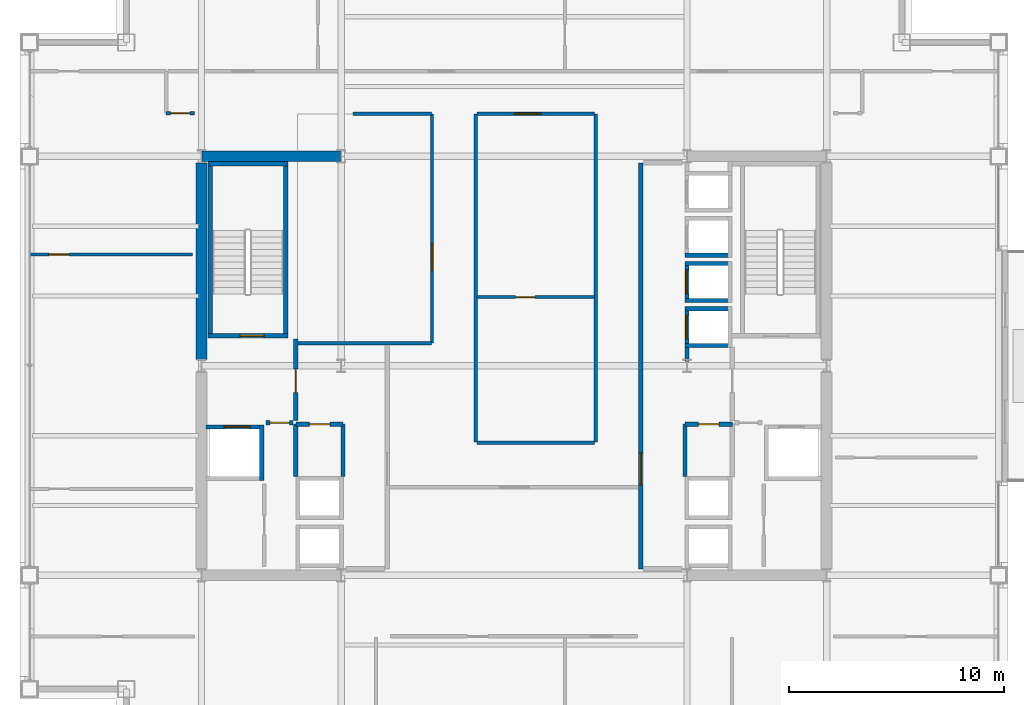
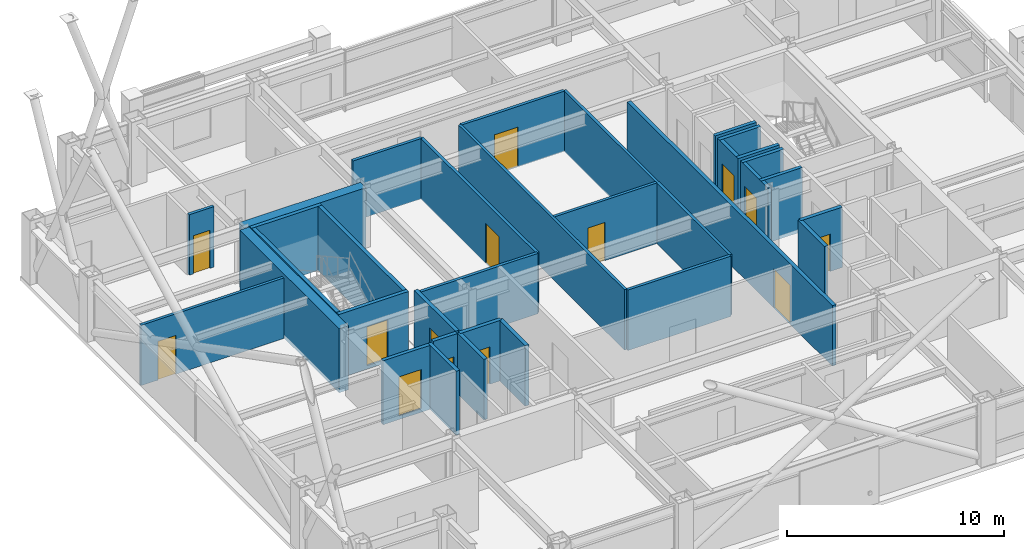
# One storey, part 28 of 33: 33 walls, 14 doors, 14 openings.
"""IFC4 building model written with IfcOpenShell, lengths in metres."""

from ifc_helpers import new_model, si_unit, direction, frame, frame_2d, origin, place, context, subcontext, project, spatial, rectangle, extrude, material, layer, layer_set, type_object, element, fill, save


model = new_model("IFC4")

# Units and contexts
model_context = context("Model", 3, precision=1e-05, world=origin(), true_north=direction((0.0, 1.0)))
body_context = subcontext(model_context, "Body", "Model", "MODEL_VIEW")
ifc_project = project(units=[si_unit("LENGTHUNIT", "METRE"), si_unit("AREAUNIT", "SQUARE_METRE"), si_unit("VOLUMEUNIT", "CUBIC_METRE"), si_unit("PLANEANGLEUNIT", "RADIAN"), si_unit("MASSUNIT", "GRAM", prefix="KILO")], contexts=[model_context])

# Site, building, storey
site_placement = place(None, origin())
site = spatial("IfcSite", under=ifc_project, at=site_placement, CompositionType="ELEMENT")
building_placement = place(site_placement, origin())
building = spatial("IfcBuilding", under=site, at=building_placement, Name="Brelmoor Portico Tower", CompositionType="ELEMENT")
storey_placement = place(building_placement, frame((0.0, 0.0, 120.60009765625)))
storey = spatial("IfcBuildingStorey", under=building, at=storey_placement, Name="L31", CompositionType="ELEMENT", Elevation=120.60009765625)

# Walls
ifc_material_1 = material(Name="Concrete C60", Category="concrete")
ifc_layer_1 = layer(ifc_material_1, 0.5)
ifc_layer_set_1 = layer_set([ifc_layer_1], Name="Concrete C60")
wall_type_1 = type_object("IfcWallType", Name="WL-CORE-500", PredefinedType="SHEAR", material=ifc_layer_set_1)
wall_1_placement = place(storey_placement, frame((-14.530029296875, 9.75, -0.2001953125), z_axis=(0.0, 0.0, 1.0), x_axis=(1.0, 0.0, 0.0)))
element("IfcWall", 1, at=wall_1_placement, inside=storey, type_object=wall_type_1, Name="L31 WC North Shear Wall", PredefinedType="SHEAR", context=body_context, shape_type="SweptSolid", body=[
    extrude(rectangle(XDim=6.4599609375, YDim=0.5, at=frame_2d((3.22998046875, 0.0))), origin(), (0.0, 0.0, 1.0), 3.60009765625),
])
wall_2_placement = place(storey_placement, frame((-14.550048828125, 0.300048828125, -0.2001953125), z_axis=(0.0, 0.0, 1.0), x_axis=(0.0, 1.0, 0.0)))
element("IfcWall", 2, at=wall_2_placement, inside=storey, type_object=wall_type_1, Name="L31 WC Outer North Shear Wall", PredefinedType="SHEAR", context=body_context, shape_type="SweptSolid", body=[
    extrude(rectangle(XDim=9.14990234375, YDim=0.5, at=frame_2d((4.574951171875, 0.0))), origin(), (0.0, 0.0, 1.0), 3.60009765625),
])
ifc_material_2 = material(Name="Wet-Area Moisture-Resistant Partition", Category="gypsum")
ifc_layer_2 = layer(ifc_material_2, 0.14990234375)
ifc_layer_set_2 = layer_set([ifc_layer_2], Name="Wet-Area Moisture-Resistant Partition")
wall_type_2 = type_object("IfcWallType", Name="WL-PART-150", PredefinedType="PARTITIONING", material=ifc_layer_set_2)
for number, where, z_axis, x_axis, name in (
    (3, (-1.780029296875, -3.550048828125, 0.0), (0.0, 0.0, 1.0), (0.0, 1.0, 0.0), "L31 Central Studio West Wall"),
    (4, (3.800048828125, -3.550048828125, 0.0), (0.0, 0.0, 1.0), (0.0, 1.0, 0.0), "L31 Central Studio East Wall"),
):
    element("IfcWall", number, at=place(storey_placement, frame(where, z_axis=z_axis, x_axis=x_axis)), inside=storey, type_object=wall_type_2, Name=name, PredefinedType="PARTITIONING", context=body_context, shape_type="SweptSolid", body=[
        extrude(rectangle(XDim=15.280029296875, YDim=0.14990234375, at=frame_2d((7.64013671875, 0.0))), origin(), (0.0, 0.0, 1.0), 3.39990234375),
    ])

# Wall, opening, door
wall_3_placement = place(storey_placement, frame((-1.72998046875, 3.199951171875, 0.0), z_axis=(0.0, 0.0, 1.0), x_axis=(1.0, 0.0, 0.0)))
wall_3 = element("IfcWall", 5, at=wall_3_placement, inside=storey, type_object=wall_type_2, Name="L31 Central Pantry Divider", PredefinedType="PARTITIONING", context=body_context, shape_type="SweptSolid", body=[
    extrude(rectangle(XDim=5.47998046875, YDim=0.14990234375, at=frame_2d((2.739990234375, 0.0))), origin(), (0.0, 0.0, 1.0), 3.39990234375),
])
opening_1_placement = place(wall_3_placement, frame((1.800048828125, 0.0, 0.0)))
opening_1 = element("IfcOpeningElement", 6, at=opening_1_placement, cuts=wall_3, Name="Opening D-IN1", PredefinedType="OPENING", context=body_context, shape_type="SweptSolid", body=[
    extrude(rectangle(XDim=0.89990234375, YDim=2.14990234375, at=frame_2d((0.449951171875, 1.074951171875))), frame((0.0, 0.0849609375, 0.0), z_axis=(0.0, -1.0, 0.0), x_axis=(1.0, 0.0, 0.0)), (0.0, 0.0, 1.0), 0.169921875),
])
ifc_material_3 = material(Name="Lacquered Timber Suite Door", Category="wood")
door_type_1 = type_object("IfcDoorType", Name="DR-INT-900", OperationType="NOTDEFINED", PredefinedType="DOOR", material=ifc_material_3)
door_1_placement = place(opening_1_placement, origin())
door_1 = element("IfcDoor", 7, at=door_1_placement, inside=storey, type_object=door_type_1, Name="D-1354 L31 Central Pantry Connecting Door", OperationType="SINGLE_SWING_RIGHT", OverallHeight=2.14990234375, OverallWidth=0.89990234375, PredefinedType="DOOR", context=body_context, shape_type="SweptSolid", body=[
    extrude(rectangle(XDim=0.89990234375, YDim=2.14990234375, at=frame_2d((0.449951171875, 1.074951171875))), frame((0.0, 0.02490234375, 0.0), z_axis=(0.0, -1.0, 0.0), x_axis=(1.0, 0.0, 0.0)), (0.0, 0.0, 1.0), 0.050048828125),
])
fill(opening_1, door_1)

wall_4_placement = place(storey_placement, frame((-22.56005859375, 5.1826171875, 0.0), z_axis=(0.0, 0.0, 1.0), x_axis=(1.0, 0.0, 0.0)))
wall_4 = element("IfcWall", 8, at=wall_4_placement, inside=storey, type_object=wall_type_2, Name="L31 W Wing Partition 2", PredefinedType="PARTITIONING", context=body_context, shape_type="SweptSolid", body=[
    extrude(rectangle(XDim=7.60009765625, YDim=0.14990234375, at=frame_2d((3.800048828125, 0.0))), origin(), (0.0, 0.0, 1.0), 3.39990234375),
])
opening_2_placement = place(wall_4_placement, frame((0.89990234375, 0.0, 0.0)))
opening_2 = element("IfcOpeningElement", 9, at=opening_2_placement, cuts=wall_4, Name="Opening D-IN2", PredefinedType="OPENING", context=body_context, shape_type="SweptSolid", body=[
    extrude(rectangle(XDim=0.9599609375, YDim=2.179931640625, at=frame_2d((0.47998046875, 1.08984375))), frame((0.0, 0.0849609375, 0.0), z_axis=(0.0, -1.0, 0.0), x_axis=(1.0, 0.0, 0.0)), (0.0, 0.0, 1.0), 0.169921875),
])
door_type_2 = type_object("IfcDoorType", Name="DR-INT-950", OperationType="NOTDEFINED", PredefinedType="DOOR", material=ifc_material_3)
door_2_placement = place(opening_2_placement, origin())
door_2 = element("IfcDoor", 10, at=door_2_placement, inside=storey, type_object=door_type_2, Name="D-1389 L31 W Wing Suite Connecting Door 2", OperationType="SINGLE_SWING_LEFT", OverallHeight=2.179931640625, OverallWidth=0.9599609375, PredefinedType="DOOR", context=body_context, shape_type="SweptSolid", body=[
    extrude(rectangle(XDim=0.9599609375, YDim=2.179931640625, at=frame_2d((0.47998046875, 1.08984375))), frame((0.0, 0.02490234375, 0.0), z_axis=(0.0, -1.0, 0.0), x_axis=(1.0, 0.0, 0.0)), (0.0, 0.0, 1.0), 0.050048828125),
])
fill(opening_2, door_2)

# Wall
ifc_material_4 = material(Name="Twin-Frame Acoustic Partition", Category="gypsum")
ifc_layer_3 = layer(ifc_material_4, 0.159912109375)
ifc_layer_set_3 = layer_set([ifc_layer_3], Name="Twin-Frame Acoustic Partition")
wall_type_3 = type_object("IfcWallType", Name="WL-PART-160", PredefinedType="PARTITIONING", material=ifc_layer_set_3)
wall_5_placement = place(storey_placement, frame((-10.050048828125, 1.050048828125, 0.0), z_axis=(0.0, 0.0, 1.0), x_axis=(1.0, 0.0, 0.0)))
element("IfcWall", 11, at=wall_5_placement, inside=storey, type_object=wall_type_3, Name="L31 Reclaimed West Suite South Wall", PredefinedType="PARTITIONING", context=body_context, shape_type="SweptSolid", body=[
    extrude(rectangle(XDim=6.2099609375, YDim=0.159912109375, at=frame_2d((3.10498046875, 0.0))), origin(), (0.0, 0.0, 1.0), 3.39990234375),
])

# Wall, opening, door
wall_6_placement = place(storey_placement, frame((-3.820068359375, 1.050048828125, 0.0), z_axis=(0.0, 0.0, 1.0), x_axis=(0.0, 1.0, 0.0)))
wall_6 = element("IfcWall", 12, at=wall_6_placement, inside=storey, type_object=wall_type_3, Name="L31 Reclaimed West Suite East Wall", PredefinedType="PARTITIONING", context=body_context, shape_type="SweptSolid", body=[
    extrude(rectangle(XDim=10.679931640625, YDim=0.159912109375, at=frame_2d((5.33984375, 0.0))), origin(), (0.0, 0.0, 1.0), 3.39990234375),
])
opening_3_placement = place(wall_6_placement, frame((3.39990234375, 0.0, 0.0)))
opening_3 = element("IfcOpeningElement", 13, at=opening_3_placement, cuts=wall_6, Name="Opening D-SU1", PredefinedType="OPENING", context=body_context, shape_type="SweptSolid", body=[
    extrude(rectangle(XDim=1.239990234375, YDim=2.239990234375, at=frame_2d((0.6201171875, 1.1201171875))), frame((0.0, 0.08984375, 0.0), z_axis=(0.0, -1.0, 0.0), x_axis=(1.0, 0.0, 0.0)), (0.0, 0.0, 1.0), 0.179931640625),
])
ifc_material_5 = material(Name="Glazed Timber Executive Suite Door", Category="wood")
door_type_3 = type_object("IfcDoorType", Name="DR-SUITE-1200", OperationType="NOTDEFINED", PredefinedType="DOOR", material=ifc_material_5)
door_3_placement = place(opening_3_placement, origin())
door_3 = element("IfcDoor", 14, at=door_3_placement, inside=storey, type_object=door_type_3, Name="D-1373 L31 West Reclaimed Collaboration Office Door", OperationType="SINGLE_SWING_LEFT", OverallHeight=2.239990234375, OverallWidth=1.239990234375, PredefinedType="DOOR", context=body_context, shape_type="SweptSolid", body=[
    extrude(rectangle(XDim=1.239990234375, YDim=2.239990234375, at=frame_2d((0.6201171875, 1.1201171875))), frame((0.0, 0.02490234375, 0.0), z_axis=(0.0, -1.0, 0.0), x_axis=(1.0, 0.0, 0.0)), (0.0, 0.0, 1.0), 0.050048828125),
])
fill(opening_3, door_3)

# Walls
wall_7_placement = place(storey_placement, frame((-7.5, 11.72998046875, 0.0), z_axis=(0.0, 0.0, 1.0), x_axis=(1.0, 0.0, 0.0)))
element("IfcWall", 15, at=wall_7_placement, inside=storey, type_object=wall_type_3, Name="L31 Reclaimed West Suite North Wall", PredefinedType="PARTITIONING", context=body_context, shape_type="SweptSolid", body=[
    extrude(rectangle(XDim=3.659912109375, YDim=0.159912109375, at=frame_2d((1.830078125, 0.0))), origin(), (0.0, 0.0, 1.0), 3.39990234375),
])
wall_8_placement = place(storey_placement, frame((-1.72998046875, -3.580078125, 0.0), z_axis=(0.0, 0.0, 1.0), x_axis=(1.0, 0.0, 0.0)))
element("IfcWall", 16, at=wall_8_placement, inside=storey, type_object=wall_type_3, Name="L31 Central Studio South Wall", PredefinedType="PARTITIONING", context=body_context, shape_type="SweptSolid", body=[
    extrude(rectangle(XDim=5.47998046875, YDim=0.159912109375, at=frame_2d((2.739990234375, 0.0))), origin(), (0.0, 0.0, 1.0), 3.39990234375),
])

# Wall, opening, door
wall_9_placement = place(storey_placement, frame((-1.72998046875, 11.72998046875, 0.0), z_axis=(0.0, 0.0, 1.0), x_axis=(1.0, 0.0, 0.0)))
wall_9 = element("IfcWall", 17, at=wall_9_placement, inside=storey, type_object=wall_type_3, Name="L31 Central Meeting North Wall", PredefinedType="PARTITIONING", context=body_context, shape_type="SweptSolid", body=[
    extrude(rectangle(XDim=5.47998046875, YDim=0.159912109375, at=frame_2d((2.739990234375, 0.0))), origin(), (0.0, 0.0, 1.0), 3.39990234375),
])
opening_4_placement = place(wall_9_placement, frame((1.75, 0.0, 0.0)))
opening_4 = element("IfcOpeningElement", 18, at=opening_4_placement, cuts=wall_9, Name="Opening D-SU1", PredefinedType="OPENING", context=body_context, shape_type="SweptSolid", body=[
    extrude(rectangle(XDim=1.239990234375, YDim=2.239990234375, at=frame_2d((0.6201171875, 1.1201171875))), frame((0.0, 0.08984375, 0.0), z_axis=(0.0, -1.0, 0.0), x_axis=(1.0, 0.0, 0.0)), (0.0, 0.0, 1.0), 0.179931640625),
])
door_4_placement = place(opening_4_placement, origin())
door_4 = element("IfcDoor", 19, at=door_4_placement, inside=storey, type_object=door_type_3, Name="D-1355 L31 Client Meeting Room Door", OperationType="SINGLE_SWING_LEFT", OverallHeight=2.239990234375, OverallWidth=1.239990234375, PredefinedType="DOOR", context=body_context, shape_type="SweptSolid", body=[
    extrude(rectangle(XDim=1.239990234375, YDim=2.239990234375, at=frame_2d((0.6201171875, 1.1201171875))), frame((0.0, 0.02490234375, 0.0), z_axis=(0.0, -1.0, 0.0), x_axis=(1.0, 0.0, 0.0)), (0.0, 0.0, 1.0), 0.050048828125),
])
fill(opening_4, door_4)

wall_10_placement = place(storey_placement, frame((-16.199951171875, 11.760009765625, 0.0), z_axis=(0.0, 0.0, 1.0), x_axis=(1.0, 0.0, 0.0)))
wall_10 = element("IfcWall", 20, at=wall_10_placement, inside=storey, type_object=wall_type_3, Name="L31 W Wing North Entry Wall", PredefinedType="PARTITIONING", context=body_context, shape_type="SweptSolid", body=[
    extrude(rectangle(XDim=1.320068359375, YDim=0.159912109375, at=frame_2d((0.66015625, 0.0))), origin(), (0.0, 0.0, 1.0), 3.39990234375),
])
opening_5_placement = place(wall_10_placement, frame((0.2099609375, 0.0, 0.0)))
opening_5 = element("IfcOpeningElement", 21, at=opening_5_placement, cuts=wall_10, Name="Opening D-IN1", PredefinedType="OPENING", context=body_context, shape_type="SweptSolid", body=[
    extrude(rectangle(XDim=0.89990234375, YDim=2.14990234375, at=frame_2d((0.449951171875, 1.074951171875))), frame((0.0, 0.08984375, 0.0), z_axis=(0.0, -1.0, 0.0), x_axis=(1.0, 0.0, 0.0)), (0.0, 0.0, 1.0), 0.179931640625),
])
door_5_placement = place(opening_5_placement, origin())
door_5 = element("IfcDoor", 22, at=door_5_placement, inside=storey, type_object=door_type_1, Name="D-1387 L31 W Wing Entry Door", OperationType="SINGLE_SWING_LEFT", OverallHeight=2.14990234375, OverallWidth=0.89990234375, PredefinedType="DOOR", context=body_context, shape_type="SweptSolid", body=[
    extrude(rectangle(XDim=0.89990234375, YDim=2.14990234375, at=frame_2d((0.449951171875, 1.074951171875))), frame((0.0, 0.02490234375, 0.0), z_axis=(0.0, -1.0, 0.0), x_axis=(1.0, 0.0, 0.0)), (0.0, 0.0, 1.0), 0.050048828125),
])
fill(opening_5, door_5)

ifc_material_6 = material(Name="Double-Stud Gypsum Fire Partition", Category="gypsum")
ifc_layer_4 = layer(ifc_material_6, 0.199951171875)
ifc_layer_set_4 = layer_set([ifc_layer_4], Name="Double-Stud Gypsum Fire Partition")
wall_type_4 = type_object("IfcWallType", Name="WL-PART-200", PredefinedType="PARTITIONING", material=ifc_layer_set_4)
wall_11_placement = place(storey_placement, frame((-10.159912109375, -2.550048828125, 0.0), z_axis=(0.0, 0.0, 1.0), x_axis=(0.0, 1.0, 0.0)))
wall_11 = element("IfcWall", 23, at=wall_11_placement, inside=storey, type_object=wall_type_4, Name="L31 W Firefighting Lobby Wall", PredefinedType="PARTITIONING", context=body_context, shape_type="SweptSolid", body=[
    extrude(rectangle(XDim=3.800048828125, YDim=0.199951171875, at=frame_2d((1.89990234375, 0.0))), origin(), (0.0, 0.0, 1.0), 3.39990234375),
])
opening_6_placement = place(wall_11_placement, frame((1.300048828125, 0.0, 0.0)))
opening_6 = element("IfcOpeningElement", 24, at=opening_6_placement, cuts=wall_11, Name="Opening D-FR1", PredefinedType="OPENING", context=body_context, shape_type="SweptSolid", body=[
    extrude(rectangle(XDim=1.10009765625, YDim=2.14990234375, at=frame_2d((0.550048828125, 1.074951171875))), frame((0.0, 0.10986328125, 0.0), z_axis=(0.0, -1.0, 0.0), x_axis=(1.0, 0.0, 0.0)), (0.0, 0.0, 1.0), 0.219970703125),
])
ifc_material_7 = material(Name="Painted Galvanised Steel Fire Door", Category="steel")
door_type_4 = type_object("IfcDoorType", Name="DR-FIRE-1100", OperationType="NOTDEFINED", PredefinedType="DOOR", material=ifc_material_7)
door_6_placement = place(opening_6_placement, origin())
door_6 = element("IfcDoor", 25, at=door_6_placement, inside=storey, type_object=door_type_4, Name="D-1363 L31 W Firefighting Lobby Door", OperationType="SINGLE_SWING_LEFT", OverallHeight=2.14990234375, OverallWidth=1.10009765625, PredefinedType="DOOR", context=body_context, shape_type="SweptSolid", body=[
    extrude(rectangle(XDim=1.10009765625, YDim=2.14990234375, at=frame_2d((0.550048828125, 1.074951171875))), frame((0.0, 0.02490234375, 0.0), z_axis=(0.0, -1.0, 0.0), x_axis=(1.0, 0.0, 0.0)), (0.0, 0.0, 1.0), 0.050048828125),
])
fill(opening_6, door_6)

wall_12_placement = place(storey_placement, frame((-10.280029296875, -2.64990234375, 0.0), z_axis=(0.0, 0.0, 1.0), x_axis=(-1.0, 0.0, 0.0)))
wall_12 = element("IfcWall", 26, at=wall_12_placement, inside=storey, type_object=wall_type_4, Name="L31 W Firefighting Lobby South Wall", PredefinedType="PARTITIONING", context=body_context, shape_type="SweptSolid", body=[
    extrude(rectangle(XDim=1.27001953125, YDim=0.199951171875, at=frame_2d((0.635009765625, 0.0))), origin(), (0.0, 0.0, 1.0), 3.39990234375),
])
opening_7_placement = place(wall_12_placement, frame((0.18505859375, 0.0, 0.0)))
opening_7 = element("IfcOpeningElement", 27, at=opening_7_placement, cuts=wall_12, Name="Opening D-IN1", PredefinedType="OPENING", context=body_context, shape_type="SweptSolid", body=[
    extrude(rectangle(XDim=0.89990234375, YDim=2.14990234375, at=frame_2d((0.449951171875, 1.074951171875))), frame((0.0, 0.10986328125, 0.0), z_axis=(0.0, -1.0, 0.0), x_axis=(1.0, 0.0, 0.0)), (0.0, 0.0, 1.0), 0.219970703125),
])
door_7_placement = place(opening_7_placement, origin())
door_7 = element("IfcDoor", 28, at=door_7_placement, inside=storey, type_object=door_type_1, Name="D-1358 L31 W Core Service Vestibule Door", OperationType="SINGLE_SWING_RIGHT", OverallHeight=2.14990234375, OverallWidth=0.89990234375, PredefinedType="DOOR", context=body_context, shape_type="SweptSolid", body=[
    extrude(rectangle(XDim=0.89990234375, YDim=2.14990234375, at=frame_2d((0.449951171875, 1.074951171875))), frame((0.0, 0.02490234375, 0.0), z_axis=(0.0, -1.0, 0.0), x_axis=(1.0, 0.0, 0.0)), (0.0, 0.0, 1.0), 0.050048828125),
])
fill(opening_7, door_7)

wall_13_placement = place(storey_placement, frame((-7.9599609375, -2.719970703125, 0.0), z_axis=(0.0, 0.0, 1.0), x_axis=(-1.0, 0.0, 0.0)))
wall_13 = element("IfcWall", 29, at=wall_13_placement, inside=storey, type_object=wall_type_4, Name="L31 W Electrical Switchgear Closet Wall", PredefinedType="PARTITIONING", context=body_context, shape_type="SweptSolid", body=[
    extrude(rectangle(XDim=2.199951171875, YDim=0.199951171875, at=frame_2d((1.10009765625, 0.0))), origin(), (0.0, 0.0, 1.0), 3.39990234375),
])
opening_8_placement = place(wall_13_placement, frame((0.6201171875, 0.0, 0.0)))
opening_8 = element("IfcOpeningElement", 30, at=opening_8_placement, cuts=wall_13, Name="Opening D-FR4", PredefinedType="OPENING", context=body_context, shape_type="SweptSolid", body=[
    extrude(rectangle(XDim=0.949951171875, YDim=2.10009765625, at=frame_2d((0.47509765625, 1.050048828125))), frame((0.0, 0.10986328125, 0.0), z_axis=(0.0, -1.0, 0.0), x_axis=(1.0, 0.0, 0.0)), (0.0, 0.0, 1.0), 0.219970703125),
])
ifc_material_8 = material(Name="Painted Galvanised Steel Riser Door", Category="steel")
door_type_5 = type_object("IfcDoorType", Name="DR-FIRE-950", OperationType="NOTDEFINED", PredefinedType="DOOR", material=ifc_material_8)
door_8_placement = place(opening_8_placement, origin())
door_8 = element("IfcDoor", 31, at=door_8_placement, inside=storey, type_object=door_type_5, Name="D-1361 L31 W Electrical Switchgear Closet Door", OperationType="SINGLE_SWING_LEFT", OverallHeight=2.10009765625, OverallWidth=0.949951171875, PredefinedType="DOOR", context=body_context, shape_type="SweptSolid", body=[
    extrude(rectangle(XDim=0.949951171875, YDim=2.10009765625, at=frame_2d((0.47509765625, 1.050048828125))), frame((0.0, 0.02490234375, 0.0), z_axis=(0.0, -1.0, 0.0), x_axis=(1.0, 0.0, 0.0)), (0.0, 0.0, 1.0), 0.050048828125),
])
fill(opening_8, door_8)

# Walls
for number, where, z_axis, x_axis, name in (
    (32, (-7.9599609375, -5.159912109375, 0.0), (0.0, 0.0, 1.0), (0.0, 1.0, 0.0), "L31 W Electrical Switchgear Closet Inner Wall"),
    (33, (-10.159912109375, -5.159912109375, 0.0), (0.0, 0.0, 1.0), (0.0, 1.0, 0.0), "L31 W Electrical Switchgear Closet Outer Wall"),
):
    element("IfcWall", number, at=place(storey_placement, frame(where, z_axis=z_axis, x_axis=x_axis)), inside=storey, type_object=wall_type_4, Name=name, PredefinedType="PARTITIONING", context=body_context, shape_type="SweptSolid", body=[
        extrude(rectangle(XDim=2.43994140625, YDim=0.199951171875, at=frame_2d((1.219970703125, 0.0))), origin(), (0.0, 0.0, 1.0), 3.39990234375),
    ])

# Wall, opening, door
wall_14_placement = place(storey_placement, frame((5.89990234375, -9.449951171875, 0.0), z_axis=(0.0, 0.0, 1.0), x_axis=(0.0, 1.0, 0.0)))
wall_14 = element("IfcWall", 34, at=wall_14_placement, inside=storey, type_object=wall_type_4, Name="L31 E Core Lobby Compartment Wall", PredefinedType="PARTITIONING", context=body_context, shape_type="SweptSolid", body=[
    extrude(rectangle(XDim=18.89990234375, YDim=0.199951171875, at=frame_2d((9.449951171875, 0.0))), origin(), (0.0, 0.0, 1.0), 3.39990234375),
])
opening_9_placement = place(wall_14_placement, frame((3.89990234375, 0.0, 0.0)))
opening_9 = element("IfcOpeningElement", 35, at=opening_9_placement, cuts=wall_14, Name="Opening D-LB1", PredefinedType="OPENING", context=body_context, shape_type="SweptSolid", body=[
    extrude(rectangle(XDim=1.5, YDim=2.199951171875, at=frame_2d((0.75, 1.10009765625))), frame((0.0, 0.10986328125, 0.0), z_axis=(0.0, -1.0, 0.0), x_axis=(1.0, 0.0, 0.0)), (0.0, 0.0, 1.0), 0.219970703125),
])
ifc_material_9 = material(Name="Double-Leaf Glazed Steel Fire Door", Category="steel")
door_type_6 = type_object("IfcDoorType", Name="DR-LOBBY-1500", OperationType="NOTDEFINED", PredefinedType="DOOR", material=ifc_material_9)
door_9_placement = place(opening_9_placement, origin())
door_9 = element("IfcDoor", 36, at=door_9_placement, inside=storey, type_object=door_type_6, Name="D-1364 L31 E Lift Lobby Main Door", OperationType="DOUBLE_DOOR_SINGLE_SWING", OverallHeight=2.199951171875, OverallWidth=1.5, PredefinedType="DOOR", context=body_context, shape_type="SweptSolid", body=[
    extrude(rectangle(XDim=1.5, YDim=2.199951171875, at=frame_2d((0.75, 1.10009765625))), frame((0.0, 0.02490234375, 0.0), z_axis=(0.0, -1.0, 0.0), x_axis=(1.0, 0.0, 0.0)), (0.0, 0.0, 1.0), 0.050048828125),
])
fill(opening_9, door_9)

wall_15_placement = place(storey_placement, frame((7.9599609375, -2.719970703125, 0.0), z_axis=(0.0, 0.0, 1.0), x_axis=(1.0, 0.0, 0.0)))
wall_15 = element("IfcWall", 37, at=wall_15_placement, inside=storey, type_object=wall_type_4, Name="L31 E Electrical Switchgear Closet Wall", PredefinedType="PARTITIONING", context=body_context, shape_type="SweptSolid", body=[
    extrude(rectangle(XDim=2.199951171875, YDim=0.199951171875, at=frame_2d((1.10009765625, 0.0))), origin(), (0.0, 0.0, 1.0), 3.39990234375),
])
opening_10_placement = place(wall_15_placement, frame((0.6201171875, 0.0, 0.0)))
opening_10 = element("IfcOpeningElement", 38, at=opening_10_placement, cuts=wall_15, Name="Opening D-FR4", PredefinedType="OPENING", context=body_context, shape_type="SweptSolid", body=[
    extrude(rectangle(XDim=0.949951171875, YDim=2.10009765625, at=frame_2d((0.47509765625, 1.050048828125))), frame((0.0, 0.10986328125, 0.0), z_axis=(0.0, -1.0, 0.0), x_axis=(1.0, 0.0, 0.0)), (0.0, 0.0, 1.0), 0.219970703125),
])
door_10_placement = place(opening_10_placement, origin())
door_10 = element("IfcDoor", 39, at=door_10_placement, inside=storey, type_object=door_type_5, Name="D-1360 L31 E Electrical Switchgear Closet Door", OperationType="SINGLE_SWING_LEFT", OverallHeight=2.10009765625, OverallWidth=0.949951171875, PredefinedType="DOOR", context=body_context, shape_type="SweptSolid", body=[
    extrude(rectangle(XDim=0.949951171875, YDim=2.10009765625, at=frame_2d((0.47509765625, 1.050048828125))), frame((0.0, 0.02490234375, 0.0), z_axis=(0.0, -1.0, 0.0), x_axis=(1.0, 0.0, 0.0)), (0.0, 0.0, 1.0), 0.050048828125),
])
fill(opening_10, door_10)

# Wall
wall_16_placement = place(storey_placement, frame((7.9599609375, -5.159912109375, 0.0), z_axis=(0.0, 0.0, 1.0), x_axis=(0.0, 1.0, 0.0)))
element("IfcWall", 40, at=wall_16_placement, inside=storey, type_object=wall_type_4, Name="L31 E Electrical Switchgear Closet Inner Wall", PredefinedType="PARTITIONING", context=body_context, shape_type="SweptSolid", body=[
    extrude(rectangle(XDim=2.43994140625, YDim=0.199951171875, at=frame_2d((1.219970703125, 0.0))), origin(), (0.0, 0.0, 1.0), 3.39990234375),
])

# Wall, opening, door
ifc_material_10 = material(Name="Precast Concrete C40", Category="concrete")
ifc_layer_5 = layer(ifc_material_10, 0.18994140625)
ifc_layer_set_5 = layer_set([ifc_layer_5], Name="Precast Concrete C40")
wall_type_5 = type_object("IfcWallType", Name="WL-SHAFT-180", PredefinedType="SOLIDWALL", material=ifc_layer_set_5)
wall_17_placement = place(storey_placement, frame((8.044921875, 0.2099609375, -0.2001953125), z_axis=(0.0, 0.0, 1.0), x_axis=(0.0, 1.0, 0.0)))
wall_17 = element("IfcWall", 41, at=wall_17_placement, inside=storey, type_object=wall_type_5, Name="L31 Lift PM1 Hoistway Front Wall", PredefinedType="SOLIDWALL", context=body_context, shape_type="SweptSolid", body=[
    extrude(rectangle(XDim=2.5400390625, YDim=0.18994140625, at=frame_2d((1.27001953125, 0.0))), origin(), (0.0, 0.0, 1.0), 3.60009765625),
])
opening_11_placement = place(wall_17_placement, frame((1.0400390625, 0.0, 0.199951171875)))
opening_11 = element("IfcOpeningElement", 42, at=opening_11_placement, cuts=wall_17, Name="Opening LD-01", PredefinedType="OPENING", context=body_context, shape_type="SweptSolid", body=[
    extrude(rectangle(XDim=1.10009765625, YDim=2.199951171875, at=frame_2d((0.550048828125, 1.10009765625))), frame((0.0, 0.10498046875, 0.0), z_axis=(0.0, -1.0, 0.0), x_axis=(1.0, 0.0, 0.0)), (0.0, 0.0, 1.0), 0.2099609375),
])
ifc_material_11 = material(Name="Brushed Stainless Steel Sliding Lift Door", Category="steel")
door_type_7 = type_object("IfcDoorType", Name="DR-LIFT-1100", OperationType="NOTDEFINED", PredefinedType="DOOR", material=ifc_material_11)
door_11_placement = place(opening_11_placement, origin())
door_11 = element("IfcDoor", 43, at=door_11_placement, inside=storey, type_object=door_type_7, Name="D-1392 L31 Lift PM1 Sliding Landing Door", OperationType="SLIDING_TO_LEFT", OverallHeight=2.199951171875, OverallWidth=1.10009765625, PredefinedType="DOOR", context=body_context, shape_type="SweptSolid", body=[
    extrude(rectangle(XDim=1.10009765625, YDim=2.199951171875, at=frame_2d((0.550048828125, 1.10009765625))), frame((0.0, 0.02490234375, 0.0), z_axis=(0.0, -1.0, 0.0), x_axis=(1.0, 0.0, 0.0)), (0.0, 0.0, 1.0), 0.050048828125),
])
fill(opening_11, door_11)

# Walls
for number, where, z_axis, x_axis, name in (
    (44, (7.949951171875, 2.655029296875, -0.2001953125), (0.0, 0.0, 1.0), (1.0, 0.0, 0.0), "L31 Lift PM1 Hoistway North Wall"),
    (45, (7.949951171875, 0.945068359375, -0.2001953125), (0.0, 0.0, 1.0), (1.0, 0.0, 0.0), "L31 Lift PM1 Hoistway South Wall"),
):
    element("IfcWall", number, at=place(storey_placement, frame(where, z_axis=z_axis, x_axis=x_axis)), inside=storey, type_object=wall_type_5, Name=name, PredefinedType="SOLIDWALL", context=body_context, shape_type="SweptSolid", body=[
        extrude(rectangle(XDim=2.199951171875, YDim=0.18994140625, at=frame_2d((1.10009765625, 0.0))), origin(), (0.0, 0.0, 1.0), 3.60009765625),
    ])

# Wall, opening, door
wall_18_placement = place(storey_placement, frame((8.044921875, 2.949951171875, -0.2001953125), z_axis=(0.0, 0.0, 1.0), x_axis=(0.0, 1.0, 0.0)))
wall_18 = element("IfcWall", 46, at=wall_18_placement, inside=storey, type_object=wall_type_5, Name="L31 Lift PM2 Hoistway Front Wall", PredefinedType="SOLIDWALL", context=body_context, shape_type="SweptSolid", body=[
    extrude(rectangle(XDim=1.900146484375, YDim=0.18994140625, at=frame_2d((0.9501953125, 0.0))), origin(), (0.0, 0.0, 1.0), 3.60009765625),
])
opening_12_placement = place(wall_18_placement, frame((0.39990234375, 0.0, 0.199951171875)))
opening_12 = element("IfcOpeningElement", 47, at=opening_12_placement, cuts=wall_18, Name="Opening LD-01", PredefinedType="OPENING", context=body_context, shape_type="SweptSolid", body=[
    extrude(rectangle(XDim=1.10009765625, YDim=2.199951171875, at=frame_2d((0.550048828125, 1.10009765625))), frame((0.0, 0.10498046875, 0.0), z_axis=(0.0, -1.0, 0.0), x_axis=(1.0, 0.0, 0.0)), (0.0, 0.0, 1.0), 0.2099609375),
])
door_12_placement = place(opening_12_placement, origin())
door_12 = element("IfcDoor", 48, at=door_12_placement, inside=storey, type_object=door_type_7, Name="D-1393 L31 Lift PM2 Sliding Landing Door", OperationType="SLIDING_TO_LEFT", OverallHeight=2.199951171875, OverallWidth=1.10009765625, PredefinedType="DOOR", context=body_context, shape_type="SweptSolid", body=[
    extrude(rectangle(XDim=1.10009765625, YDim=2.199951171875, at=frame_2d((0.550048828125, 1.10009765625))), frame((0.0, 0.02490234375, 0.0), z_axis=(0.0, -1.0, 0.0), x_axis=(1.0, 0.0, 0.0)), (0.0, 0.0, 1.0), 0.050048828125),
])
fill(opening_12, door_12)

# Walls
for number, where, z_axis, x_axis, name in (
    (49, (7.949951171875, 4.7548828125, -0.2001953125), (0.0, 0.0, 1.0), (1.0, 0.0, 0.0), "L31 Lift PM2 Hoistway North Wall"),
    (50, (7.949951171875, 3.044921875, -0.2001953125), (0.0, 0.0, 1.0), (1.0, 0.0, 0.0), "L31 Lift PM2 Hoistway South Wall"),
    (51, (7.949951171875, 5.14501953125, -0.2001953125), (0.0, 0.0, 1.0), (1.0, 0.0, 0.0), "L31 Lift PM3 Hoistway South Wall"),
):
    element("IfcWall", number, at=place(storey_placement, frame(where, z_axis=z_axis, x_axis=x_axis)), inside=storey, type_object=wall_type_5, Name=name, PredefinedType="SOLIDWALL", context=body_context, shape_type="SweptSolid", body=[
        extrude(rectangle(XDim=2.199951171875, YDim=0.18994140625, at=frame_2d((1.10009765625, 0.0))), origin(), (0.0, 0.0, 1.0), 3.60009765625),
    ])

# Wall, opening, door
wall_19_placement = place(storey_placement, frame((-14.330078125, -2.844970703125, -0.2001953125), z_axis=(0.0, 0.0, 1.0), x_axis=(1.0, 0.0, 0.0)))
wall_19 = element("IfcWall", 52, at=wall_19_placement, inside=storey, type_object=wall_type_5, Name="L31 Lift FF1 Hoistway Front Wall", PredefinedType="SOLIDWALL", context=body_context, shape_type="SweptSolid", body=[
    extrude(rectangle(XDim=2.68017578125, YDim=0.18994140625, at=frame_2d((1.340087890625, 0.0))), origin(), (0.0, 0.0, 1.0), 3.60009765625),
])
opening_13_placement = place(wall_19_placement, frame((0.830078125, 0.0, 0.199951171875)))
opening_13 = element("IfcOpeningElement", 53, at=opening_13_placement, cuts=wall_19, Name="Opening LD-02", PredefinedType="OPENING", context=body_context, shape_type="SweptSolid", body=[
    extrude(rectangle(XDim=1.199951171875, YDim=2.199951171875, at=frame_2d((0.60009765625, 1.10009765625))), frame((0.0, 0.10498046875, 0.0), z_axis=(0.0, -1.0, 0.0), x_axis=(1.0, 0.0, 0.0)), (0.0, 0.0, 1.0), 0.2099609375),
])
ifc_material_12 = material(Name="Brushed Stainless Steel Firefighting Lift Door", Category="steel")
door_type_8 = type_object("IfcDoorType", Name="DR-LIFT-1200", OperationType="NOTDEFINED", PredefinedType="DOOR", material=ifc_material_12)
door_13_placement = place(opening_13_placement, origin())
door_13 = element("IfcDoor", 54, at=door_13_placement, inside=storey, type_object=door_type_8, Name="D-1390 L31 Lift FF1 Sliding Landing Door", OperationType="SLIDING_TO_LEFT", OverallHeight=2.199951171875, OverallWidth=1.199951171875, PredefinedType="DOOR", context=body_context, shape_type="SweptSolid", body=[
    extrude(rectangle(XDim=1.199951171875, YDim=2.199951171875, at=frame_2d((0.60009765625, 1.10009765625))), frame((0.0, 0.02490234375, 0.0), z_axis=(0.0, -1.0, 0.0), x_axis=(1.0, 0.0, 0.0)), (0.0, 0.0, 1.0), 0.050048828125),
])
fill(opening_13, door_13)

# Walls
wall_20_placement = place(storey_placement, frame((-11.7451171875, -5.35009765625, -0.2001953125), z_axis=(0.0, 0.0, 1.0), x_axis=(0.0, 1.0, 0.0)))
element("IfcWall", 55, at=wall_20_placement, inside=storey, type_object=wall_type_5, Name="L31 Firefighting Lift FF1 Inner Wall", PredefinedType="SOLIDWALL", context=body_context, shape_type="SweptSolid", body=[
    extrude(rectangle(XDim=2.60009765625, YDim=0.18994140625, at=frame_2d((1.300048828125, 0.0))), origin(), (0.0, 0.0, 1.0), 3.60009765625),
])
ifc_material_13 = material(Name="Concrete C40", Category="concrete")
ifc_layer_6 = layer(ifc_material_13, 0.199951171875)
ifc_layer_set_6 = layer_set([ifc_layer_6], Name="Concrete C40")
wall_type_6 = type_object("IfcWallType", Name="WL-SHAFT-RC200", PredefinedType="SOLIDWALL", material=ifc_layer_set_6)
wall_21_placement = place(storey_placement, frame((-14.14990234375, 1.5, -0.2001953125), z_axis=(0.0, 0.0, 1.0), x_axis=(0.0, 1.0, 0.0)))
element("IfcWall", 56, at=wall_21_placement, inside=storey, type_object=wall_type_6, Name="L31 ST-W Structural Stair Wall Outer", PredefinedType="SOLIDWALL", context=body_context, shape_type="SweptSolid", body=[
    extrude(rectangle(XDim=7.800048828125, YDim=0.199951171875, at=frame_2d((3.89990234375, 0.0))), origin(), (0.0, 0.0, 1.0), 3.60009765625),
])

# Wall, opening, door
wall_22_placement = place(storey_placement, frame((-14.25, 1.39990234375, -0.2001953125), z_axis=(0.0, 0.0, 1.0), x_axis=(1.0, 0.0, 0.0)))
wall_22 = element("IfcWall", 57, at=wall_22_placement, inside=storey, type_object=wall_type_6, Name="L31 ST-W Structural Stair Wall S", PredefinedType="SOLIDWALL", context=body_context, shape_type="SweptSolid", body=[
    extrude(rectangle(XDim=3.719970703125, YDim=0.199951171875, at=frame_2d((1.85986328125, 0.0))), origin(), (0.0, 0.0, 1.0), 3.60009765625),
])
opening_14_placement = place(wall_22_placement, frame((1.5, 0.0, 0.199951171875)))
opening_14 = element("IfcOpeningElement", 58, at=opening_14_placement, cuts=wall_22, Name="Opening D-ST1", PredefinedType="OPENING", context=body_context, shape_type="SweptSolid", body=[
    extrude(rectangle(XDim=1.1201171875, YDim=2.179931640625, at=frame_2d((0.56005859375, 1.08984375))), frame((0.0, 0.10986328125, 0.0), z_axis=(0.0, -1.0, 0.0), x_axis=(1.0, 0.0, 0.0)), (0.0, 0.0, 1.0), 0.219970703125),
])
door_type_9 = type_object("IfcDoorType", Name="DR-STAIR-1100", OperationType="NOTDEFINED", PredefinedType="DOOR", material=ifc_material_7)
door_14_placement = place(opening_14_placement, origin())
door_14 = element("IfcDoor", 59, at=door_14_placement, inside=storey, type_object=door_type_9, Name="D-1380 L31 ST-W Protected Exit Stair Door", OperationType="SINGLE_SWING_LEFT", OverallHeight=2.179931640625, OverallWidth=1.1201171875, PredefinedType="DOOR", context=body_context, shape_type="SweptSolid", body=[
    extrude(rectangle(XDim=1.1201171875, YDim=2.179931640625, at=frame_2d((0.56005859375, 1.08984375))), frame((0.0, 0.02490234375, 0.0), z_axis=(0.0, -1.0, 0.0), x_axis=(1.0, 0.0, 0.0)), (0.0, 0.0, 1.0), 0.050048828125),
])
fill(opening_14, door_14)

# Walls
wall_23_placement = place(storey_placement, frame((-14.25, 9.39990234375, -0.2001953125), z_axis=(0.0, 0.0, 1.0), x_axis=(1.0, 0.0, 0.0)))
element("IfcWall", 60, at=wall_23_placement, inside=storey, type_object=wall_type_6, Name="L31 ST-W Structural Stair Wall N", PredefinedType="SOLIDWALL", context=body_context, shape_type="SweptSolid", body=[
    extrude(rectangle(XDim=3.719970703125, YDim=0.199951171875, at=frame_2d((1.85986328125, 0.0))), origin(), (0.0, 0.0, 1.0), 3.60009765625),
])
wall_24_placement = place(storey_placement, frame((-10.6298828125, 1.5, -0.2001953125), z_axis=(0.0, 0.0, 1.0), x_axis=(0.0, 1.0, 0.0)))
element("IfcWall", 61, at=wall_24_placement, inside=storey, type_object=wall_type_6, Name="L31 ST-W Structural Stair Wall Inner", PredefinedType="SOLIDWALL", context=body_context, shape_type="SweptSolid", body=[
    extrude(rectangle(XDim=7.800048828125, YDim=0.199951171875, at=frame_2d((3.89990234375, 0.0))), origin(), (0.0, 0.0, 1.0), 3.60009765625),
])

save(model, "model.ifc")
